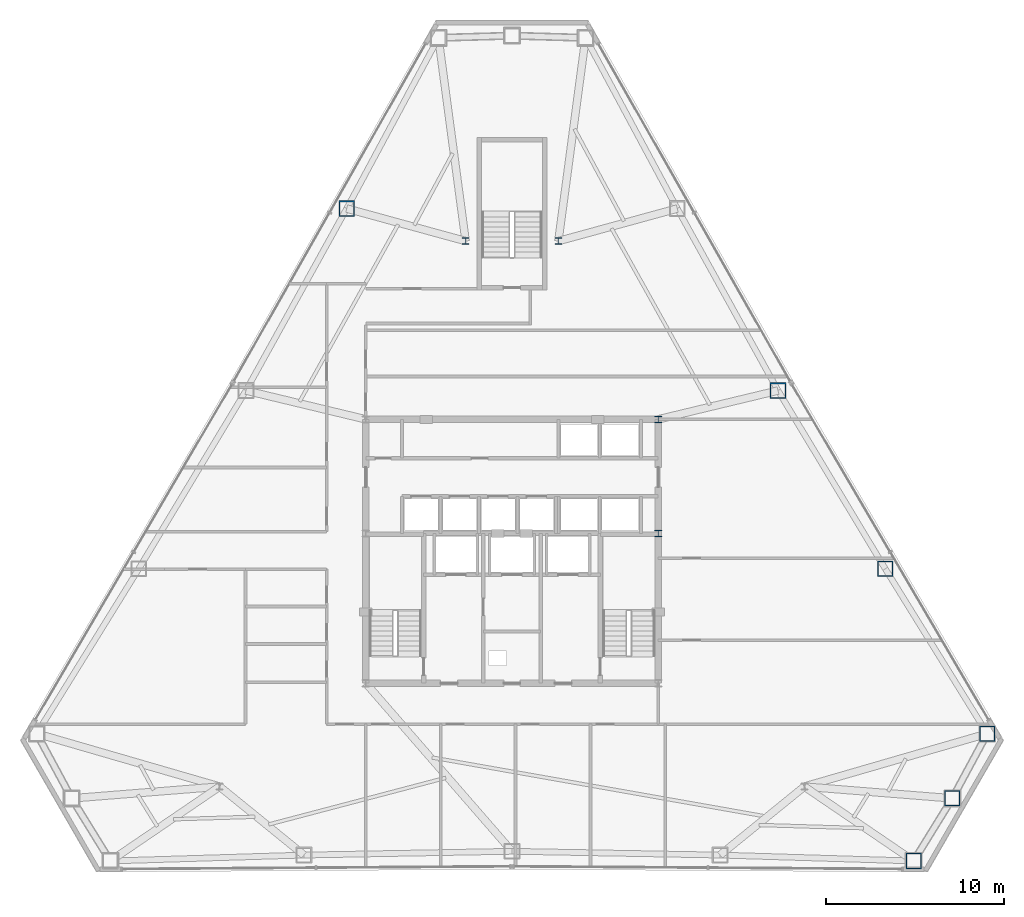
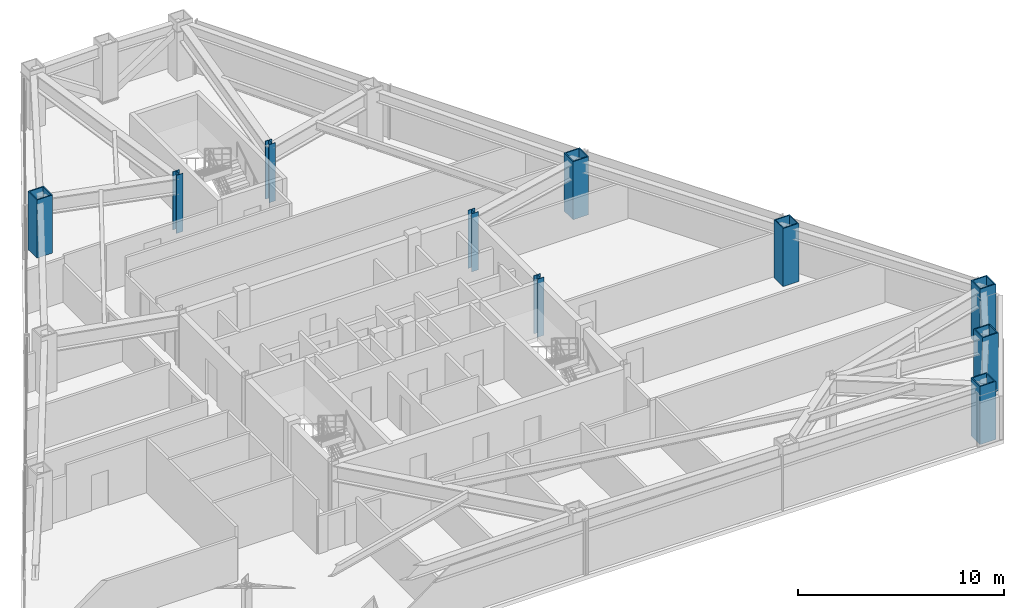
# One storey, part 2 of 12: 10 columns.
"""IFC4 building model written with IfcOpenShell, lengths in metres."""

import ifcopenshell
import ifcopenshell.guid

model = None  # the IFC model being written
_history = None  # IfcOwnerHistory: only IFC2X3 demands one
_inside = {}  # id of a spatial element -> (the spatial element, [elements in it])
_under = {}  # id of a project, library or spatial element -> (it, [spatial elements below it])
_declared = {}  # id of a project -> (the project, [libraries it declares])
_typed = {}  # id of a type object -> (the type object, [elements of that type])
_made_of = {}  # id of a material, layer set ... -> (it, [elements and type objects made of it])


def new_model(schema):
    """Start an empty IFC model of exactly this schema.

    Asked for "IFC4X3", IfcOpenShell would pick the latest addendum, in which some entities
    have other attributes; the version numbers below select the first issue.
    IFC2X3 requires an IfcOwnerHistory on every rooted entity: one is made here for all.
    """
    global model, _history
    if schema == "IFC4X3":
        model = ifcopenshell.file(schema_version=(4, 3, 0, 0))
    else:
        model = ifcopenshell.file(schema=schema)
    _inside.clear()
    _under.clear()
    _declared.clear()
    _typed.clear()
    _made_of.clear()
    _history = None
    if model.schema == "IFC2X3":
        org = make("IfcOrganization", Name="unknown")
        user = make(
            "IfcPersonAndOrganization",
            ThePerson=make("IfcPerson", FamilyName="unknown"),
            TheOrganization=org,
        )
        app = make(
            "IfcApplication",
            ApplicationDeveloper=org,
            Version="unknown",
            ApplicationFullName="unknown",
            ApplicationIdentifier="unknown",
        )
        _history = make(
            "IfcOwnerHistory",
            OwningUser=user,
            OwningApplication=app,
            ChangeAction="ADDED",
            CreationDate=0,
        )
    return model


def make(cls, **values):
    """One entity of the class cls with the attributes given. An attribute that is None is left unset."""
    return model.create_entity(
        cls, **{name: value for name, value in values.items() if value is not None}
    )


def rooted(cls, **values):
    """An entity with a GlobalId (a new one), such as an element, a storey or a relation."""
    return make(cls, GlobalId=ifcopenshell.guid.new(), OwnerHistory=_history, **values)


def si_unit(unit_type, name, prefix=None):
    """IfcSIUnit, for example si_unit("LENGTHUNIT", "METRE", prefix="MILLI")."""
    return make("IfcSIUnit", UnitType=unit_type, Prefix=prefix, Name=name)


def assignment(units):
    """IfcUnitAssignment: the units of a project."""
    return None if units is None else make("IfcUnitAssignment", Units=units)


def point(xyz):
    """IfcCartesianPoint."""
    return None if xyz is None else make("IfcCartesianPoint", Coordinates=xyz)


def direction(xyz):
    """IfcDirection."""
    return None if xyz is None else make("IfcDirection", DirectionRatios=xyz)


def frame(location, z_axis=None, x_axis=None):
    """IfcAxis2Placement3D, a coordinate frame: its origin and axes. An axis left out is left unset."""
    return make(
        "IfcAxis2Placement3D",
        Location=point(location),
        Axis=direction(z_axis),
        RefDirection=direction(x_axis),
    )


def frame_2d(location, x_axis=None):
    """IfcAxis2Placement2D, a coordinate frame in the plane: its origin and x axis."""
    return make(
        "IfcAxis2Placement2D", Location=point(location), RefDirection=direction(x_axis)
    )


def origin():
    """The frame at (0, 0, 0) with its axes left unset."""
    return frame((0.0, 0.0, 0.0))


def origin_2d():
    """The frame at (0, 0) in the plane with its x axis left unset."""
    return frame_2d((0.0, 0.0))


def place(relative_to, where):
    """IfcLocalPlacement: puts the frame where relative to a parent placement (None: the world)."""
    return make(
        "IfcLocalPlacement", PlacementRelTo=relative_to, RelativePlacement=where
    )


def context(
    kind, dimensions, precision=None, world=None, true_north=None, identifier=None
):
    """IfcGeometricRepresentationContext, for example the 3D "Model" context."""
    return make(
        "IfcGeometricRepresentationContext",
        ContextIdentifier=identifier,
        ContextType=kind,
        CoordinateSpaceDimension=dimensions,
        Precision=precision,
        WorldCoordinateSystem=world,
        TrueNorth=true_north,
    )


def subcontext(parent, identifier, kind, view, scale=None):
    """IfcGeometricRepresentationSubContext, for example "Body" below "Model"."""
    return make(
        "IfcGeometricRepresentationSubContext",
        ContextIdentifier=identifier,
        ContextType=kind,
        ParentContext=parent,
        TargetScale=scale,
        TargetView=view,
    )


def project(units=None, contexts=None):
    """IfcProject with its units and contexts."""
    return rooted(
        "IfcProject",
        Name="project",
        RepresentationContexts=contexts,
        UnitsInContext=assignment(units),
    )


def spatial(cls, under=None, at=None, **own):
    """A site, building, storey or space (cls), placed at a placement, below another one or the project."""
    s = rooted(cls, ObjectPlacement=at, **own)
    if under is not None:
        _under.setdefault(under.id(), (under, []))[1].append(s)
    return s


def profile(cls, at=None, kind="AREA", **sizes):
    """A parametric profile (cls). Its sizes go by their IFC names, for example OverallWidth=200.0."""
    return make(cls, ProfileType=kind, Position=at, **sizes)


def hollow_rectangle(**sizes):
    """IfcRectangleHollowProfileDef."""
    return profile("IfcRectangleHollowProfileDef", **sizes)


def i_section(**sizes):
    """IfcIShapeProfileDef."""
    return profile("IfcIShapeProfileDef", **sizes)


def extrude(swept, where, along, depth):
    """IfcExtrudedAreaSolid: the profile swept, set in the frame where, extruded along a direction by depth."""
    return make(
        "IfcExtrudedAreaSolid",
        SweptArea=swept,
        Position=where,
        ExtrudedDirection=direction(along),
        Depth=depth,
    )


def shape(context_of_items, identifier, shape_type, items):
    """IfcShapeRepresentation: the items that make up one representation, for example the "Body"."""
    return make(
        "IfcShapeRepresentation",
        ContextOfItems=context_of_items,
        RepresentationIdentifier=identifier,
        RepresentationType=shape_type,
        Items=items,
    )


def material(Name=None, Category=None):
    """IfcMaterial."""
    return make("IfcMaterial", Name=Name, Category=Category)


def material_profile(
    of_material, cross_section, Name=None, Category=None, Priority=None
):
    """IfcMaterialProfile: a cross section and its material."""
    return make(
        "IfcMaterialProfile",
        Name=Name,
        Material=of_material,
        Profile=cross_section,
        Priority=Priority,
        Category=Category,
    )


def profile_set(profiles, Name=None, composite=None):
    """IfcMaterialProfileSet."""
    return make(
        "IfcMaterialProfileSet",
        Name=Name,
        MaterialProfiles=profiles,
        CompositeProfile=composite,
    )


def made_of(thing, what):
    """Note that an element or type object is made of a material, layer set ...; save() writes the relation."""
    if what is not None:
        _made_of.setdefault(what.id(), (what, []))[1].append(thing)
    return thing


def type_object(cls, material=None, **own):
    """A type object (cls), such as IfcWallType, which elements share."""
    return made_of(rooted(cls, **own), material)


def element(
    cls,
    number,
    at=None,
    inside=None,
    cuts=None,
    type_object=None,
    material=None,
    context=None,
    identifier="Body",
    shape_type=None,
    held_by="IfcProductDefinitionShape",
    body=None,
    shapes=None,
    **own,
):
    """One element of the class cls, such as IfcWall. Its Tag is "e" and its number.

    at: its placement. inside: the storey or other place that contains it. cuts: it is an
    opening in that element (IfcRelVoidsElement). A single representation is given by context,
    identifier, shape_type and body (its items); several are given by shapes. held_by: the class
    of the entity that holds the representations. save() writes the other relations.
    """
    e = rooted(cls, Tag="e%d" % number, ObjectPlacement=at, **own)
    if body is not None:
        shapes = [shape(context, identifier, shape_type, body)]
    if shapes is not None:
        e.Representation = make(held_by, Representations=shapes)
    if inside is not None:
        _inside.setdefault(inside.id(), (inside, []))[1].append(e)
    if cuts is not None:
        rooted(
            "IfcRelVoidsElement", RelatingBuildingElement=cuts, RelatedOpeningElement=e
        )
    if type_object is not None:
        _typed.setdefault(type_object.id(), (type_object, []))[1].append(e)
    return made_of(e, material)


def aggregate(whole, parts):
    """IfcRelAggregates: a whole, such as a stair, and the parts it consists of."""
    return rooted("IfcRelAggregates", RelatingObject=whole, RelatedObjects=parts)


def save(model, path):
    """Write the relations noted so far, then the file.

    IfcRelAggregates (storeys below a building ...), IfcRelContainedInSpatialStructure (elements
    in a storey), IfcRelDefinesByType, IfcRelAssociatesMaterial and IfcRelDeclares: one each for
    every whole, place, type object, material and project.
    """
    for whole, parts in _under.values():
        aggregate(whole, parts)
    for where, things in _inside.values():
        rooted(
            "IfcRelContainedInSpatialStructure",
            RelatedElements=things,
            RelatingStructure=where,
        )
    for kind, things in _typed.values():
        rooted("IfcRelDefinesByType", RelatedObjects=things, RelatingType=kind)
    for what, things in _made_of.values():
        rooted("IfcRelAssociatesMaterial", RelatedObjects=things, RelatingMaterial=what)
    for by, libraries in _declared.values():
        rooted("IfcRelDeclares", RelatingContext=by, RelatedDefinitions=libraries)
    model.write(path)


model = new_model("IFC4")

# Units and contexts
model_context = context("Model", 3, precision=1e-05, world=origin(), true_north=direction((0.0, 1.0)))
body_context = subcontext(model_context, "Body", "Model", "MODEL_VIEW")
ifc_project = project(units=[si_unit("LENGTHUNIT", "METRE"), si_unit("AREAUNIT", "SQUARE_METRE"), si_unit("VOLUMEUNIT", "CUBIC_METRE"), si_unit("PLANEANGLEUNIT", "RADIAN"), si_unit("MASSUNIT", "GRAM", prefix="KILO")], contexts=[model_context])

# Site, building, storey
site_placement = place(None, origin())
site = spatial("IfcSite", under=ifc_project, at=site_placement, CompositionType="ELEMENT")
building_placement = place(site_placement, origin())
building = spatial("IfcBuilding", under=site, at=building_placement, Name="Varakhsha Concourse Tower", CompositionType="ELEMENT")
storey_placement = place(building_placement, frame((0.0, 0.0, 129.800048828125)))
storey = spatial("IfcBuildingStorey", under=building, at=storey_placement, Name="L37", CompositionType="ELEMENT", Elevation=129.800048828125)

# Columns
ifc_material_1 = material(Name="Structural Steel ASTM A992 Grade 50", Category="steel")
ifc_material_profile_1 = material_profile(ifc_material_1, i_section(OverallWidth=0.3740234375, OverallDepth=0.3720703125, WebThickness=0.01611328125, FlangeThickness=0.02587890625, at=origin_2d()), Name="W14X132")
ifc_profile_set_1 = profile_set([ifc_material_profile_1], Name="Structural Steel ASTM A992 Grade 50")
column_type_1 = type_object("IfcColumnType", Name="CL-CORE-W14X132", PredefinedType="COLUMN", material=ifc_profile_set_1)
for number, where, z_axis, x_axis, name in (
    (1, (48.199951171875, 24.800048828125, 0.0), (0.0, 0.0, 1.0), (1.0, 0.0, 0.0), "L37 Core Column CC-ME"),
    (2, (48.199951171875, 31.199951171875, 0.0), (0.0, 0.0, 1.0), (1.0, 0.0, 0.0), "L37 Core Column CC-NE"),
    (3, (37.39990234375, 41.199951171875, 0.0), (0.0, 0.0, 1.0), (1.0, 0.0, 0.0), "L37 Core Column NS-W"),
    (4, (42.60009765625, 41.199951171875, 0.0), (0.0, 0.0, 1.0), (1.0, 0.0, 0.0), "L37 Core Column NS-E"),
):
    element("IfcColumn", number, at=place(storey_placement, frame(where, z_axis=z_axis, x_axis=x_axis)), inside=storey, type_object=column_type_1, Name=name, PredefinedType="COLUMN", context=body_context, shape_type="SweptSolid", body=[
        extrude(i_section(OverallWidth=0.3740234375, OverallDepth=0.3720703125, WebThickness=0.01611328125, FlangeThickness=0.02587890625, at=origin_2d()), origin(), (0.0, 0.0, 1.0), 3.449951171875),
    ])
ifc_material_2 = material(Name="Structural Steel ASTM A572 Grade 50", Category="steel")
ifc_material_profile_2 = material_profile(ifc_material_2, hollow_rectangle(XDim=0.8798828125, YDim=0.8798828125, WallThickness=0.06005859375, at=origin_2d()), Name="BOX 880x880x60")
ifc_profile_set_2 = profile_set([ifc_material_profile_2], Name="Structural Steel ASTM A572 Grade 50")
column_type_2 = type_object("IfcColumnType", Name="CL-TUBE-880", PredefinedType="COLUMN", material=ifc_profile_set_2)
for number, where, z_axis, x_axis, name in (
    (5, (30.73046875, 43.0263671875, 0.0), (0.0, 0.0, 1.0), (1.0, 0.0, 0.0), "L37 Framed-Tube Column TC04"),
    (6, (62.5322265625, 6.4267578125, 0.0), (0.0, 0.0, 1.0), (1.0, 0.0, 0.0), "L37 Framed-Tube Column TC13"),
    (7, (64.700439453125, 9.939208984375, 0.0), (0.0, 0.0, 1.0), (1.0, 0.0, 0.0), "L37 Framed-Tube Column TC14"),
    (8, (66.658203125, 13.572998046875, 0.0), (0.0, 0.0, 1.0), (1.0, 0.0, 0.0), "L37 Framed-Tube Column TC15"),
    (9, (60.93896484375, 22.814453125, 0.0), (0.0, 0.0, 1.0), (1.0, 0.0, 0.0), "L37 Framed-Tube Column TC16"),
    (10, (54.92138671875, 32.81494140625, 0.0), (0.0, 0.0, 1.0), (1.0, 0.0, 0.0), "L37 Framed-Tube Column TC17"),
):
    element("IfcColumn", number, at=place(storey_placement, frame(where, z_axis=z_axis, x_axis=x_axis)), inside=storey, type_object=column_type_2, Name=name, PredefinedType="COLUMN", context=body_context, shape_type="SweptSolid", body=[
        extrude(hollow_rectangle(XDim=0.8798828125, YDim=0.8798828125, WallThickness=0.06005859375, at=origin_2d()), origin(), (0.0, 0.0, 1.0), 3.449951171875),
    ])

save(model, "model.ifc")
